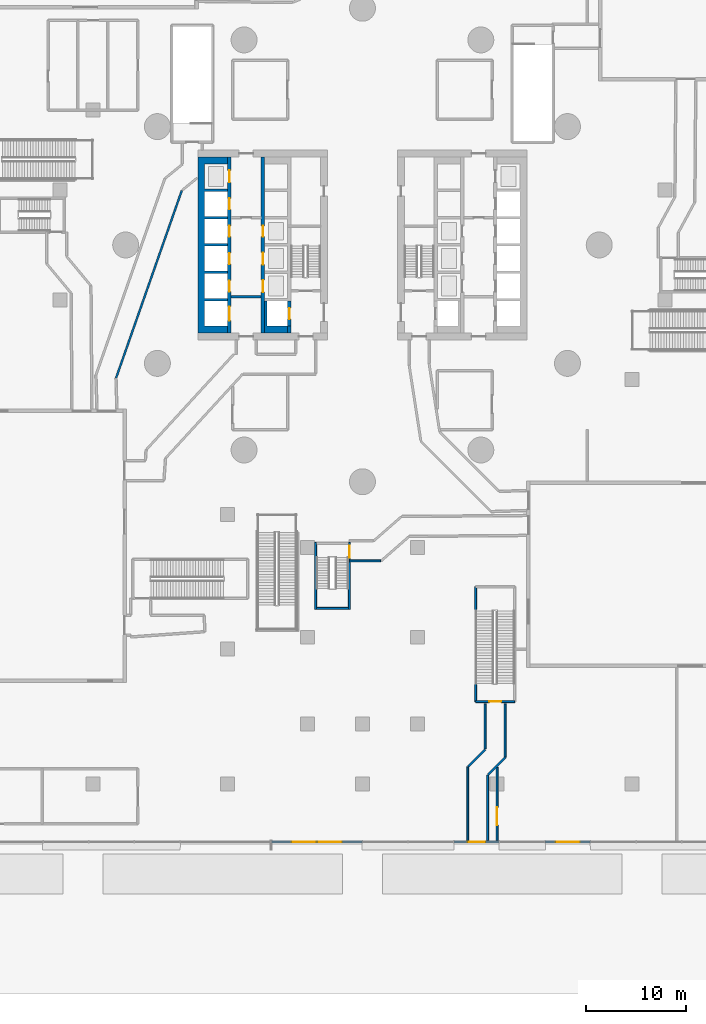
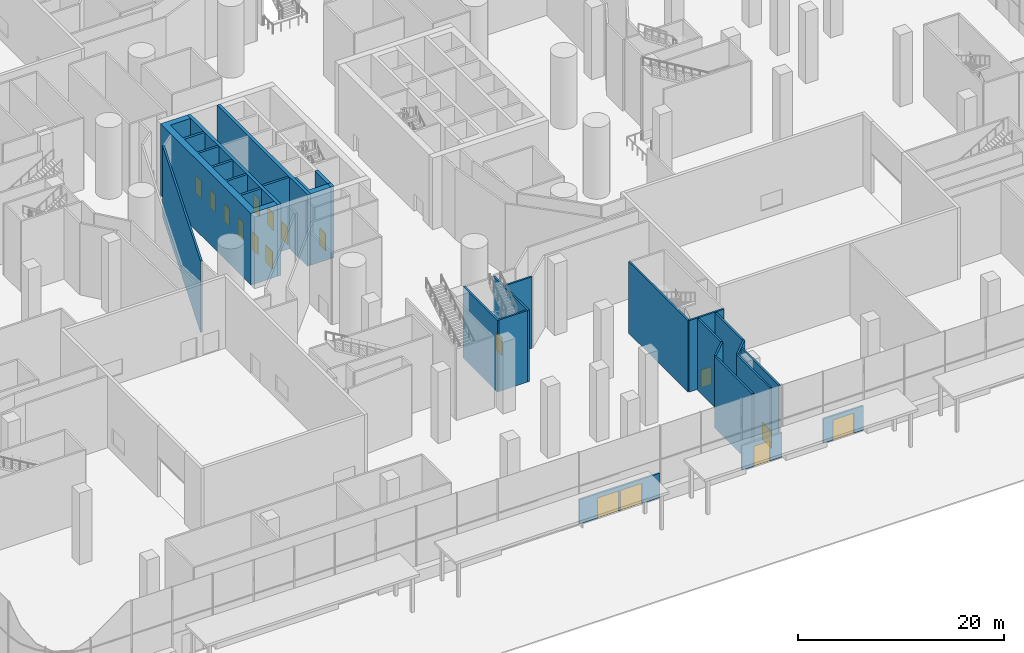
# One storey, part 23 of 54: 24 walls, 17 doors, 17 openings.
"""IFC4 building model written with IfcOpenShell, lengths in metres."""

from ifc_helpers import new_model, si_unit, direction, frame, frame_2d, origin, place, context, subcontext, project, spatial, polyline, rectangle, outline, extrude, material, layer, layer_set, type_object, element, fill, save


model = new_model("IFC4")

# Units and contexts
model_context = context("Model", 3, precision=1e-05, world=origin(), true_north=direction((0.0, 1.0)))
body_context = subcontext(model_context, "Body", "Model", "MODEL_VIEW")
ifc_project = project(units=[si_unit("LENGTHUNIT", "METRE"), si_unit("AREAUNIT", "SQUARE_METRE"), si_unit("VOLUMEUNIT", "CUBIC_METRE"), si_unit("PLANEANGLEUNIT", "RADIAN"), si_unit("MASSUNIT", "GRAM", prefix="KILO")], contexts=[model_context])

# Site, building, storey
site_placement = place(None, origin())
site = spatial("IfcSite", under=ifc_project, at=site_placement, CompositionType="ELEMENT")
building_placement = place(site_placement, origin())
building = spatial("IfcBuilding", under=site, at=building_placement, Name="Tamarind Cross Interchange Tower", CompositionType="ELEMENT")
storey_placement = place(building_placement, origin())
storey = spatial("IfcBuildingStorey", under=building, at=storey_placement, Name="L00", CompositionType="ELEMENT", Elevation=0.0)

# Walls
ifc_material_1 = material(Name="Concrete C80", Category="concrete")
ifc_layer_1 = layer(ifc_material_1, 0.699951171875)
ifc_layer_set_1 = layer_set([ifc_layer_1], Name="Concrete C80")
wall_type_1 = type_object("IfcWallType", Name="Core wall 700 mm Concrete C80", PredefinedType="SHEAR", material=ifc_layer_set_1)
wall_1_placement = place(storey_placement, origin())
element("IfcWall", 1, at=wall_1_placement, inside=storey, type_object=wall_type_1, Name="Core wall CWL-L00-W-A", PredefinedType="SHEAR", context=body_context, shape_type="SweptSolid", body=[
    extrude(outline(polyline([(-13.5, -8.800048828125), (-13.5, -8.125), (-15.800048828125, -8.125), (-15.800048828125, -5.625), (-13.5, -5.625), (-13.5, -5.375), (-15.800048828125, -5.375), (-15.800048828125, -2.875), (-13.5, -2.875), (-13.5, -2.625), (-15.800048828125, -2.625), (-15.800048828125, -0.125), (-13.5, -0.125), (-13.5, 0.125), (-15.800048828125, 0.125), (-15.800048828125, 2.625), (-13.5, 2.625), (-13.5, 2.875), (-15.800048828125, 2.875), (-15.800048828125, 5.375), (-13.5, 5.375), (-13.5, 5.625), (-15.800048828125, 5.625), (-15.800048828125, 8.125), (-13.5, 8.125), (-13.5, 8.800048828125), (-15.800048828125, 8.800048828125), (-16.5, 8.800048828125), (-16.5, -8.800048828125), (-15.800048828125, -8.800048828125), (-13.5, -8.800048828125)])), origin(), (0.0, 0.0, 1.0), 8.5),
])
ifc_layer_2 = layer(ifc_material_1, 0.35009765625)
ifc_layer_set_2 = layer_set([ifc_layer_2], Name="Concrete C80")
wall_type_2 = type_object("IfcWallType", Name="Core web wall 350 mm Concrete C80", PredefinedType="SHEAR", material=ifc_layer_set_2)
wall_2_placement = place(storey_placement, origin())
element("IfcWall", 2, at=wall_2_placement, inside=storey, type_object=wall_type_2, Name="Core wall CWL-L00-W-BS", PredefinedType="SHEAR", context=body_context, shape_type="SweptSolid", body=[
    extrude(outline(polyline([(-7.5, -8.125), (-9.550048828125, -8.125), (-9.550048828125, -5.625), (-9.800048828125, -5.625), (-9.800048828125, -8.125), (-9.800048828125, -8.800048828125), (-7.5, -8.800048828125), (-7.5, -8.125)])), origin(), (0.0, 0.0, 1.0), 8.5),
])
wall_3_placement = place(storey_placement, frame((-7.324951171875, -8.800048828125, 0.0), z_axis=(0.0, 0.0, 1.0), x_axis=(0.0, 1.0, 0.0)))
element("IfcWall", 3, at=wall_3_placement, inside=storey, type_object=wall_type_2, Name="Core wall CWL-L00-W-BW", PredefinedType="SHEAR", context=body_context, shape_type="SweptSolid", body=[
    extrude(rectangle(XDim=0.675048828125, YDim=0.35009765625, at=frame_2d((0.33740234375, 0.0))), origin(), (0.0, 0.0, 1.0), 8.5),
])

# Wall, openings, doors
wall_4_placement = place(storey_placement, frame((-13.324951171875, -8.800048828125, 0.0), z_axis=(0.0, 0.0, 1.0), x_axis=(0.0, 1.0, 0.0)))
wall_4 = element("IfcWall", 4, at=wall_4_placement, inside=storey, type_object=wall_type_2, Name="Core wall CWL-L00-W-LA", PredefinedType="SHEAR", context=body_context, shape_type="SweptSolid", body=[
    extrude(rectangle(XDim=17.60009765625, YDim=0.35009765625, at=frame_2d((8.800048828125, 0.0))), origin(), (0.0, 0.0, 1.0), 8.5),
])
opening_1_placement = place(wall_4_placement, frame((1.22509765625, 0.0, 0.0)))
opening_1 = element("IfcOpeningElement", 5, at=opening_1_placement, cuts=wall_4, Name="Opening LD1L00", PredefinedType="OPENING", context=body_context, shape_type="SweptSolid", body=[
    extrude(rectangle(XDim=1.39990234375, YDim=2.10009765625, at=frame_2d((0.699951171875, 1.050048828125))), frame((0.0, 0.18505859375, 0.0), z_axis=(0.0, -1.0, 0.0), x_axis=(1.0, 0.0, 0.0)), (0.0, 0.0, 1.0), 0.3701171875),
])
opening_2_placement = place(wall_4_placement, frame((4.125, 0.0, 0.0)))
opening_2 = element("IfcOpeningElement", 6, at=opening_2_placement, cuts=wall_4, Name="Opening LD2L00", PredefinedType="OPENING", context=body_context, shape_type="SweptSolid", body=[
    extrude(rectangle(XDim=1.10009765625, YDim=2.10009765625, at=frame_2d((0.550048828125, 1.050048828125))), frame((0.0, 0.18505859375, 0.0), z_axis=(0.0, -1.0, 0.0), x_axis=(1.0, 0.0, 0.0)), (0.0, 0.0, 1.0), 0.3701171875),
])
opening_3_placement = place(wall_4_placement, frame((6.875, 0.0, 0.0)))
opening_3 = element("IfcOpeningElement", 7, at=opening_3_placement, cuts=wall_4, Name="Opening LD3L00", PredefinedType="OPENING", context=body_context, shape_type="SweptSolid", body=[
    extrude(rectangle(XDim=1.10009765625, YDim=2.10009765625, at=frame_2d((0.550048828125, 1.050048828125))), frame((0.0, 0.18505859375, 0.0), z_axis=(0.0, -1.0, 0.0), x_axis=(1.0, 0.0, 0.0)), (0.0, 0.0, 1.0), 0.3701171875),
])
opening_4_placement = place(wall_4_placement, frame((9.625, 0.0, 0.0)))
opening_4 = element("IfcOpeningElement", 8, at=opening_4_placement, cuts=wall_4, Name="Opening LD4L00", PredefinedType="OPENING", context=body_context, shape_type="SweptSolid", body=[
    extrude(rectangle(XDim=1.10009765625, YDim=2.10009765625, at=frame_2d((0.550048828125, 1.050048828125))), frame((0.0, 0.18505859375, 0.0), z_axis=(0.0, -1.0, 0.0), x_axis=(1.0, 0.0, 0.0)), (0.0, 0.0, 1.0), 0.3701171875),
])
opening_5_placement = place(wall_4_placement, frame((12.375, 0.0, 0.0)))
opening_5 = element("IfcOpeningElement", 9, at=opening_5_placement, cuts=wall_4, Name="Opening LD5L00", PredefinedType="OPENING", context=body_context, shape_type="SweptSolid", body=[
    extrude(rectangle(XDim=1.10009765625, YDim=2.10009765625, at=frame_2d((0.550048828125, 1.050048828125))), frame((0.0, 0.18505859375, 0.0), z_axis=(0.0, -1.0, 0.0), x_axis=(1.0, 0.0, 0.0)), (0.0, 0.0, 1.0), 0.3701171875),
])
opening_6_placement = place(wall_4_placement, frame((15.074951171875, 0.0, 0.0)))
opening_6 = element("IfcOpeningElement", 10, at=opening_6_placement, cuts=wall_4, Name="Opening LD6L00", PredefinedType="OPENING", context=body_context, shape_type="SweptSolid", body=[
    extrude(rectangle(XDim=1.199951171875, YDim=2.10009765625, at=frame_2d((0.60009765625, 1.050048828125))), frame((0.0, 0.18505859375, 0.0), z_axis=(0.0, -1.0, 0.0), x_axis=(1.0, 0.0, 0.0)), (0.0, 0.0, 1.0), 0.3701171875),
])
ifc_material_2 = material(Name="Stainless steel panel", Category="steel")
door_type_1 = type_object("IfcDoorType", Name="Lift landing door 1100 x 2100 E 120", OperationType="SLIDING_TO_LEFT", PredefinedType="DOOR", material=ifc_material_2)
door_1_placement = place(opening_2_placement, origin())
door_1 = element("IfcDoor", 11, at=door_1_placement, inside=storey, type_object=door_type_1, Name="L00 landing door LF2", OperationType="SLIDING_TO_LEFT", OverallHeight=2.10009765625, OverallWidth=1.10009765625, PredefinedType="DOOR", context=body_context, shape_type="SweptSolid", body=[
    extrude(rectangle(XDim=1.10009765625, YDim=2.10009765625, at=frame_2d((0.550048828125, 1.050048828125))), frame((0.0, 0.02490234375, 0.0), z_axis=(0.0, -1.0, 0.0), x_axis=(1.0, 0.0, 0.0)), (0.0, 0.0, 1.0), 0.050048828125),
])
fill(opening_2, door_1)
door_2_placement = place(opening_3_placement, origin())
door_2 = element("IfcDoor", 12, at=door_2_placement, inside=storey, type_object=door_type_1, Name="L00 landing door LF3", OperationType="SLIDING_TO_LEFT", OverallHeight=2.10009765625, OverallWidth=1.10009765625, PredefinedType="DOOR", context=body_context, shape_type="SweptSolid", body=[
    extrude(rectangle(XDim=1.10009765625, YDim=2.10009765625, at=frame_2d((0.550048828125, 1.050048828125))), frame((0.0, 0.02490234375, 0.0), z_axis=(0.0, -1.0, 0.0), x_axis=(1.0, 0.0, 0.0)), (0.0, 0.0, 1.0), 0.050048828125),
])
fill(opening_3, door_2)
door_3_placement = place(opening_4_placement, origin())
door_3 = element("IfcDoor", 13, at=door_3_placement, inside=storey, type_object=door_type_1, Name="L00 landing door LF4", OperationType="SLIDING_TO_LEFT", OverallHeight=2.10009765625, OverallWidth=1.10009765625, PredefinedType="DOOR", context=body_context, shape_type="SweptSolid", body=[
    extrude(rectangle(XDim=1.10009765625, YDim=2.10009765625, at=frame_2d((0.550048828125, 1.050048828125))), frame((0.0, 0.02490234375, 0.0), z_axis=(0.0, -1.0, 0.0), x_axis=(1.0, 0.0, 0.0)), (0.0, 0.0, 1.0), 0.050048828125),
])
fill(opening_4, door_3)
door_4_placement = place(opening_5_placement, origin())
door_4 = element("IfcDoor", 14, at=door_4_placement, inside=storey, type_object=door_type_1, Name="L00 landing door LF5", OperationType="SLIDING_TO_LEFT", OverallHeight=2.10009765625, OverallWidth=1.10009765625, PredefinedType="DOOR", context=body_context, shape_type="SweptSolid", body=[
    extrude(rectangle(XDim=1.10009765625, YDim=2.10009765625, at=frame_2d((0.550048828125, 1.050048828125))), frame((0.0, 0.02490234375, 0.0), z_axis=(0.0, -1.0, 0.0), x_axis=(1.0, 0.0, 0.0)), (0.0, 0.0, 1.0), 0.050048828125),
])
fill(opening_5, door_4)
door_type_2 = type_object("IfcDoorType", Name="Lift landing door 1200 x 2100 E 120", OperationType="SLIDING_TO_LEFT", PredefinedType="DOOR", material=ifc_material_2)
door_5_placement = place(opening_6_placement, origin())
door_5 = element("IfcDoor", 15, at=door_5_placement, inside=storey, type_object=door_type_2, Name="L00 landing door LF6", OperationType="SLIDING_TO_LEFT", OverallHeight=2.10009765625, OverallWidth=1.199951171875, PredefinedType="DOOR", context=body_context, shape_type="SweptSolid", body=[
    extrude(rectangle(XDim=1.199951171875, YDim=2.10009765625, at=frame_2d((0.60009765625, 1.050048828125))), frame((0.0, 0.02490234375, 0.0), z_axis=(0.0, -1.0, 0.0), x_axis=(1.0, 0.0, 0.0)), (0.0, 0.0, 1.0), 0.050048828125),
])
fill(opening_6, door_5)
door_type_3 = type_object("IfcDoorType", Name="Lift landing door 1400 x 2100 E 120", OperationType="SLIDING_TO_LEFT", PredefinedType="DOOR", material=ifc_material_2)
door_6_placement = place(opening_1_placement, origin())
door_6 = element("IfcDoor", 16, at=door_6_placement, inside=storey, type_object=door_type_3, Name="L00 landing door LF1", OperationType="SLIDING_TO_LEFT", OverallHeight=2.10009765625, OverallWidth=1.39990234375, PredefinedType="DOOR", context=body_context, shape_type="SweptSolid", body=[
    extrude(rectangle(XDim=1.39990234375, YDim=2.10009765625, at=frame_2d((0.699951171875, 1.050048828125))), frame((0.0, 0.02490234375, 0.0), z_axis=(0.0, -1.0, 0.0), x_axis=(1.0, 0.0, 0.0)), (0.0, 0.0, 1.0), 0.050048828125),
])
fill(opening_1, door_6)

wall_5_placement = place(storey_placement, frame((-9.97509765625, -8.800048828125, 0.0), z_axis=(0.0, 0.0, 1.0), x_axis=(0.0, 1.0, 0.0)))
wall_5 = element("IfcWall", 17, at=wall_5_placement, inside=storey, type_object=wall_type_2, Name="Core wall CWL-L00-W-LB", PredefinedType="SHEAR", context=body_context, shape_type="SweptSolid", body=[
    extrude(rectangle(XDim=17.60009765625, YDim=0.35009765625, at=frame_2d((8.800048828125, 0.0))), origin(), (0.0, 0.0, 1.0), 8.5),
])
opening_7_placement = place(wall_5_placement, frame((4.074951171875, 0.0, 0.0)))
opening_7 = element("IfcOpeningElement", 18, at=opening_7_placement, cuts=wall_5, Name="Opening LD8L00", PredefinedType="OPENING", context=body_context, shape_type="SweptSolid", body=[
    extrude(rectangle(XDim=1.199951171875, YDim=2.10009765625, at=frame_2d((0.60009765625, 1.050048828125))), frame((0.0, 0.18505859375, 0.0), z_axis=(0.0, -1.0, 0.0), x_axis=(1.0, 0.0, 0.0)), (0.0, 0.0, 1.0), 0.3701171875),
])
opening_8_placement = place(wall_5_placement, frame((6.824951171875, 0.0, 0.0)))
opening_8 = element("IfcOpeningElement", 19, at=opening_8_placement, cuts=wall_5, Name="Opening LD9L00", PredefinedType="OPENING", context=body_context, shape_type="SweptSolid", body=[
    extrude(rectangle(XDim=1.199951171875, YDim=2.10009765625, at=frame_2d((0.60009765625, 1.050048828125))), frame((0.0, 0.18505859375, 0.0), z_axis=(0.0, -1.0, 0.0), x_axis=(1.0, 0.0, 0.0)), (0.0, 0.0, 1.0), 0.3701171875),
])
opening_9_placement = place(wall_5_placement, frame((9.625, 0.0, 0.0)))
opening_9 = element("IfcOpeningElement", 20, at=opening_9_placement, cuts=wall_5, Name="Opening LD10L00", PredefinedType="OPENING", context=body_context, shape_type="SweptSolid", body=[
    extrude(rectangle(XDim=1.10009765625, YDim=2.10009765625, at=frame_2d((0.550048828125, 1.050048828125))), frame((0.0, 0.18505859375, 0.0), z_axis=(0.0, -1.0, 0.0), x_axis=(1.0, 0.0, 0.0)), (0.0, 0.0, 1.0), 0.3701171875),
])
door_7_placement = place(opening_9_placement, origin())
door_7 = element("IfcDoor", 21, at=door_7_placement, inside=storey, type_object=door_type_1, Name="L00 landing door LF10", OperationType="SLIDING_TO_LEFT", OverallHeight=2.10009765625, OverallWidth=1.10009765625, PredefinedType="DOOR", context=body_context, shape_type="SweptSolid", body=[
    extrude(rectangle(XDim=1.10009765625, YDim=2.10009765625, at=frame_2d((0.550048828125, 1.050048828125))), frame((0.0, 0.02490234375, 0.0), z_axis=(0.0, -1.0, 0.0), x_axis=(1.0, 0.0, 0.0)), (0.0, 0.0, 1.0), 0.050048828125),
])
fill(opening_9, door_7)
door_8_placement = place(opening_7_placement, origin())
door_8 = element("IfcDoor", 22, at=door_8_placement, inside=storey, type_object=door_type_2, Name="L00 landing door LF8", OperationType="SLIDING_TO_LEFT", OverallHeight=2.10009765625, OverallWidth=1.199951171875, PredefinedType="DOOR", context=body_context, shape_type="SweptSolid", body=[
    extrude(rectangle(XDim=1.199951171875, YDim=2.10009765625, at=frame_2d((0.60009765625, 1.050048828125))), frame((0.0, 0.02490234375, 0.0), z_axis=(0.0, -1.0, 0.0), x_axis=(1.0, 0.0, 0.0)), (0.0, 0.0, 1.0), 0.050048828125),
])
fill(opening_7, door_8)
door_9_placement = place(opening_8_placement, origin())
door_9 = element("IfcDoor", 23, at=door_9_placement, inside=storey, type_object=door_type_2, Name="L00 landing door LF9", OperationType="SLIDING_TO_LEFT", OverallHeight=2.10009765625, OverallWidth=1.199951171875, PredefinedType="DOOR", context=body_context, shape_type="SweptSolid", body=[
    extrude(rectangle(XDim=1.199951171875, YDim=2.10009765625, at=frame_2d((0.60009765625, 1.050048828125))), frame((0.0, 0.02490234375, 0.0), z_axis=(0.0, -1.0, 0.0), x_axis=(1.0, 0.0, 0.0)), (0.0, 0.0, 1.0), 0.050048828125),
])
fill(opening_8, door_9)

# Wall, opening, door
wall_6_placement = place(storey_placement, frame((-7.324951171875, -8.125, 0.0), z_axis=(0.0, 0.0, 1.0), x_axis=(0.0, 1.0, 0.0)))
wall_6 = element("IfcWall", 24, at=wall_6_placement, inside=storey, type_object=wall_type_2, Name="Core wall CWL-L00-W-FF", PredefinedType="SHEAR", context=body_context, shape_type="SweptSolid", body=[
    extrude(rectangle(XDim=2.5, YDim=0.35009765625, at=frame_2d((1.25, 0.0))), origin(), (0.0, 0.0, 1.0), 8.5),
])
opening_10_placement = place(wall_6_placement, frame((0.699951171875, 0.0, 0.0)))
opening_10 = element("IfcOpeningElement", 25, at=opening_10_placement, cuts=wall_6, Name="Opening LD7L00", PredefinedType="OPENING", context=body_context, shape_type="SweptSolid", body=[
    extrude(rectangle(XDim=1.10009765625, YDim=2.10009765625, at=frame_2d((0.550048828125, 1.050048828125))), frame((0.0, 0.18505859375, 0.0), z_axis=(0.0, -1.0, 0.0), x_axis=(1.0, 0.0, 0.0)), (0.0, 0.0, 1.0), 0.3701171875),
])
door_10_placement = place(opening_10_placement, origin())
door_10 = element("IfcDoor", 26, at=door_10_placement, inside=storey, type_object=door_type_1, Name="L00 landing door LF7", OperationType="SLIDING_TO_LEFT", OverallHeight=2.10009765625, OverallWidth=1.10009765625, PredefinedType="DOOR", context=body_context, shape_type="SweptSolid", body=[
    extrude(rectangle(XDim=1.10009765625, YDim=2.10009765625, at=frame_2d((0.550048828125, 1.050048828125))), frame((0.0, 0.02490234375, 0.0), z_axis=(0.0, -1.0, 0.0), x_axis=(1.0, 0.0, 0.0)), (0.0, 0.0, 1.0), 0.050048828125),
])
fill(opening_10, door_10)

ifc_material_3 = material(Name="Masonry partition, fire-rated", Category="masonry")
ifc_layer_3 = layer(ifc_material_3, 0.199951171875)
ifc_layer_set_3 = layer_set([ifc_layer_3], Name="Masonry partition, fire-rated")
wall_type_3 = type_object("IfcWallType", Name="Fire partition 200 EI 180", PredefinedType="PARTITIONING", material=ifc_layer_set_3)
wall_7_placement = place(storey_placement, frame((13.5, -59.698974609375, 0.0), z_axis=(0.0, 0.0, 1.0), x_axis=(0.0, 1.0, 0.0)))
wall_7 = element("IfcWall", 27, at=wall_7_placement, inside=storey, type_object=wall_type_3, Name="L00 partition 93", PredefinedType="PARTITIONING", context=body_context, shape_type="SweptSolid", body=[
    extrude(rectangle(XDim=7.364990234375, YDim=0.199951171875, at=frame_2d((3.6826171875, 0.0))), origin(), (0.0, 0.0, 1.0), 8.5),
])
opening_11_placement = place(wall_7_placement, frame((1.554443359375, 0.0, 0.0)))
opening_11 = element("IfcOpeningElement", 28, at=opening_11_placement, cuts=wall_7, Name="Opening DL00-38", PredefinedType="OPENING", context=body_context, shape_type="SweptSolid", body=[
    extrude(rectangle(XDim=1.800048828125, YDim=2.10009765625, at=frame_2d((0.89990234375, 1.050048828125))), frame((0.0, 0.10986328125, 0.0), z_axis=(0.0, -1.0, 0.0), x_axis=(1.0, 0.0, 0.0)), (0.0, 0.0, 1.0), 0.219970703125),
])
ifc_material_4 = material(Name="Steel, fire-resisting", Category="steel")
door_type_4 = type_object("IfcDoorType", Name="Podium door 1800 x 2100 FD60", OperationType="SINGLE_SWING_LEFT", PredefinedType="DOOR", material=ifc_material_4)
door_11_placement = place(opening_11_placement, origin())
door_11 = element("IfcDoor", 29, at=door_11_placement, inside=storey, type_object=door_type_4, Name="L00 door Customer Service Centre 0023", OperationType="SINGLE_SWING_RIGHT", OverallHeight=2.10009765625, OverallWidth=1.800048828125, PredefinedType="DOOR", context=body_context, shape_type="SweptSolid", body=[
    extrude(rectangle(XDim=1.800048828125, YDim=2.10009765625, at=frame_2d((0.89990234375, 1.050048828125))), frame((0.0, 0.02490234375, 0.0), z_axis=(0.0, -1.0, 0.0), x_axis=(1.0, 0.0, 0.0)), (0.0, 0.0, 1.0), 0.050048828125),
])
fill(opening_11, door_11)

# Wall, openings, doors
ifc_material_5 = material(Name="Precast concrete C40", Category="concrete")
ifc_layer_4 = layer(ifc_material_5, 0.35009765625)
ifc_layer_set_4 = layer_set([ifc_layer_4], Name="Precast concrete C40")
wall_type_4 = type_object("IfcWallType", Name="Podium facade wall", PredefinedType="SOLIDWALL", material=ifc_layer_set_4)
wall_8_placement = place(storey_placement, frame((-9.1005859375, -59.800048828125, 0.0), z_axis=(0.0, 0.0, 1.0), x_axis=(1.0, 0.0, 0.0)))
wall_8 = element("IfcWall", 30, at=wall_8_placement, inside=storey, type_object=wall_type_4, Name="EXW-L00-06-D12", PredefinedType="SOLIDWALL", context=body_context, shape_type="SweptSolid", body=[
    extrude(rectangle(XDim=9.060546875, YDim=0.199951171875, at=frame_2d((4.5302734375, 0.0))), origin(), (0.0, 0.0, 1.0), 2.89990234375),
])
opening_12_placement = place(wall_8_placement, frame((2.0302734375, 0.0, 0.0)))
opening_12 = element("IfcOpeningElement", 31, at=opening_12_placement, cuts=wall_8, Name="Opening D1", PredefinedType="OPENING", context=body_context, shape_type="SweptSolid", body=[
    extrude(rectangle(XDim=2.39990234375, YDim=2.39990234375, at=frame_2d((1.199951171875, 1.199951171875))), frame((0.0, 0.10986328125, 0.0), z_axis=(0.0, -1.0, 0.0), x_axis=(1.0, 0.0, 0.0)), (0.0, 0.0, 1.0), 0.219970703125),
])
opening_13_placement = place(wall_8_placement, frame((4.63037109375, 0.0, 0.0)))
opening_13 = element("IfcOpeningElement", 32, at=opening_13_placement, cuts=wall_8, Name="Opening D1", PredefinedType="OPENING", context=body_context, shape_type="SweptSolid", body=[
    extrude(rectangle(XDim=2.39990234375, YDim=2.39990234375, at=frame_2d((1.199951171875, 1.199951171875))), frame((0.0, 0.10986328125, 0.0), z_axis=(0.0, -1.0, 0.0), x_axis=(1.0, 0.0, 0.0)), (0.0, 0.0, 1.0), 0.219970703125),
])
ifc_material_6 = material(Name="Toughened glass and aluminium", Category="aluminium")
door_type_5 = type_object("IfcDoorType", Name="Station entrance door", OperationType="DOUBLE_DOOR_DOUBLE_SWING", PredefinedType="DOOR", material=ifc_material_6)
door_12_placement = place(opening_12_placement, frame((2.39990234375, 0.0, 0.0), z_axis=(0.0, 0.0, 1.0), x_axis=(-1.0, 0.0, 0.0)))
door_12 = element("IfcDoor", 33, at=door_12_placement, inside=storey, type_object=door_type_5, Name="DOR-L00-06-12A", OperationType="DOUBLE_DOOR_DOUBLE_SWING", OverallHeight=2.39990234375, OverallWidth=2.39990234375, PredefinedType="DOOR", context=body_context, shape_type="SweptSolid", body=[
    extrude(rectangle(XDim=2.39990234375, YDim=2.39990234375, at=frame_2d((1.199951171875, 1.199951171875))), frame((0.0, 0.02490234375, 0.0), z_axis=(0.0, -1.0, 0.0), x_axis=(1.0, 0.0, 0.0)), (0.0, 0.0, 1.0), 0.050048828125),
])
fill(opening_12, door_12)
door_13_placement = place(opening_13_placement, frame((2.39990234375, 0.0, 0.0), z_axis=(0.0, 0.0, 1.0), x_axis=(-1.0, 0.0, 0.0)))
door_13 = element("IfcDoor", 34, at=door_13_placement, inside=storey, type_object=door_type_5, Name="DOR-L00-06-12B", OperationType="DOUBLE_DOOR_DOUBLE_SWING", OverallHeight=2.39990234375, OverallWidth=2.39990234375, PredefinedType="DOOR", context=body_context, shape_type="SweptSolid", body=[
    extrude(rectangle(XDim=2.39990234375, YDim=2.39990234375, at=frame_2d((1.199951171875, 1.199951171875))), frame((0.0, 0.02490234375, 0.0), z_axis=(0.0, -1.0, 0.0), x_axis=(1.0, 0.0, 0.0)), (0.0, 0.0, 1.0), 0.050048828125),
])
fill(opening_13, door_13)

# Wall, opening, door
wall_9_placement = place(storey_placement, frame((9.1806640625, -59.800048828125, 0.0), z_axis=(0.0, 0.0, 1.0), x_axis=(1.0, 0.0, 0.0)))
wall_9 = element("IfcWall", 35, at=wall_9_placement, inside=storey, type_object=wall_type_4, Name="EXW-L00-06-D16", PredefinedType="SOLIDWALL", context=body_context, shape_type="SweptSolid", body=[
    extrude(rectangle(XDim=4.490234375, YDim=0.199951171875, at=frame_2d((2.2451171875, 0.0))), origin(), (0.0, 0.0, 1.0), 2.89990234375),
])
opening_14_placement = place(wall_9_placement, frame((1.34521484375, 0.0, 0.0)))
opening_14 = element("IfcOpeningElement", 36, at=opening_14_placement, cuts=wall_9, Name="Opening D7", PredefinedType="OPENING", context=body_context, shape_type="SweptSolid", body=[
    extrude(rectangle(XDim=1.800048828125, YDim=2.39990234375, at=frame_2d((0.89990234375, 1.199951171875))), frame((0.0, 0.10986328125, 0.0), z_axis=(0.0, -1.0, 0.0), x_axis=(1.0, 0.0, 0.0)), (0.0, 0.0, 1.0), 0.219970703125),
])
ifc_material_7 = material(Name="Steel FD90", Category="steel")
door_type_6 = type_object("IfcDoorType", Name="Exit passage door", OperationType="DOUBLE_DOOR_SINGLE_SWING", PredefinedType="DOOR", material=ifc_material_7)
door_14_placement = place(opening_14_placement, frame((1.800048828125, 0.0, 0.0), z_axis=(0.0, 0.0, 1.0), x_axis=(-1.0, 0.0, 0.0)))
door_14 = element("IfcDoor", 37, at=door_14_placement, inside=storey, type_object=door_type_6, Name="DOR-L00-06-16", OperationType="SINGLE_SWING_LEFT", OverallHeight=2.39990234375, OverallWidth=1.800048828125, PredefinedType="DOOR", context=body_context, shape_type="SweptSolid", body=[
    extrude(rectangle(XDim=1.800048828125, YDim=2.39990234375, at=frame_2d((0.89990234375, 1.199951171875))), frame((0.0, 0.02490234375, 0.0), z_axis=(0.0, -1.0, 0.0), x_axis=(1.0, 0.0, 0.0)), (0.0, 0.0, 1.0), 0.050048828125),
])
fill(opening_14, door_14)

wall_10_placement = place(storey_placement, frame((18.3212890625, -59.800048828125, 0.0), z_axis=(0.0, 0.0, 1.0), x_axis=(1.0, 0.0, 0.0)))
wall_10 = element("IfcWall", 38, at=wall_10_placement, inside=storey, type_object=wall_type_4, Name="EXW-L00-06-D18", PredefinedType="SOLIDWALL", context=body_context, shape_type="SweptSolid", body=[
    extrude(rectangle(XDim=4.490234375, YDim=0.199951171875, at=frame_2d((2.2451171875, 0.0))), origin(), (0.0, 0.0, 1.0), 2.89990234375),
])
opening_15_placement = place(wall_10_placement, frame((1.045166015625, 0.0, 0.0)))
opening_15 = element("IfcOpeningElement", 39, at=opening_15_placement, cuts=wall_10, Name="Opening D1", PredefinedType="OPENING", context=body_context, shape_type="SweptSolid", body=[
    extrude(rectangle(XDim=2.39990234375, YDim=2.39990234375, at=frame_2d((1.199951171875, 1.199951171875))), frame((0.0, 0.10986328125, 0.0), z_axis=(0.0, -1.0, 0.0), x_axis=(1.0, 0.0, 0.0)), (0.0, 0.0, 1.0), 0.219970703125),
])
door_15_placement = place(opening_15_placement, frame((2.39990234375, 0.0, 0.0), z_axis=(0.0, 0.0, 1.0), x_axis=(-1.0, 0.0, 0.0)))
door_15 = element("IfcDoor", 40, at=door_15_placement, inside=storey, type_object=door_type_5, Name="DOR-L00-06-18", OperationType="DOUBLE_DOOR_DOUBLE_SWING", OverallHeight=2.39990234375, OverallWidth=2.39990234375, PredefinedType="DOOR", context=body_context, shape_type="SweptSolid", body=[
    extrude(rectangle(XDim=2.39990234375, YDim=2.39990234375, at=frame_2d((1.199951171875, 1.199951171875))), frame((0.0, 0.02490234375, 0.0), z_axis=(0.0, -1.0, 0.0), x_axis=(1.0, 0.0, 0.0)), (0.0, 0.0, 1.0), 0.050048828125),
])
fill(opening_15, door_15)

# Walls
ifc_material_8 = material(Name="Concrete C40", Category="concrete")
ifc_layer_5 = layer(ifc_material_8, 0.199951171875)
ifc_layer_set_5 = layer_set([ifc_layer_5], Name="Concrete C40")
wall_type_5 = type_object("IfcWallType", Name="Protected passage wall 200 EI 180", PredefinedType="PARTITIONING", material=ifc_layer_set_5)
wall_11_placement = place(storey_placement, frame((-1.300048828125, -31.64990234375, 0.0), z_axis=(0.0, 0.0, 1.0), x_axis=(1.0, 0.0, 0.0)))
element("IfcWall", 41, at=wall_11_placement, inside=storey, type_object=wall_type_5, Name="L00 passage wall 141", PredefinedType="PARTITIONING", context=body_context, shape_type="SweptSolid", body=[
    extrude(rectangle(XDim=3.125732421875, YDim=0.199951171875, at=frame_2d((1.56298828125, 0.0))), origin(), (0.0, 0.0, 1.0), 8.5),
])
wall_12_placement = place(storey_placement, frame((14.300048828125, -45.969970703125, 0.0), z_axis=(0.0, 0.0, 1.0), x_axis=(0.0, -1.0, 0.0)))
element("IfcWall", 42, at=wall_12_placement, inside=storey, type_object=wall_type_5, Name="L00 passage wall 212", PredefinedType="PARTITIONING", context=body_context, shape_type="SweptSolid", body=[
    extrude(rectangle(XDim=5.34423828125, YDim=0.199951171875, at=frame_2d((2.672119140625, 0.0))), origin(), (0.0, 0.0, 1.0), 8.5),
])
wall_13_placement = place(storey_placement, frame((14.300048828125, -51.3642578125, 0.0), z_axis=(0.0, 0.0, 1.0), x_axis=(-0.707106781187, -0.707106781187, 0.0)))
element("IfcWall", 43, at=wall_13_placement, inside=storey, type_object=wall_type_5, Name="L00 passage wall 213", PredefinedType="PARTITIONING", context=body_context, shape_type="SweptSolid", body=[
    extrude(rectangle(XDim=2.4248046875, YDim=0.199951171875, at=frame_2d((1.21240234375, 0.0))), origin(), (0.0, 0.0, 1.0), 8.5),
])
wall_14_placement = place(storey_placement, frame((12.550048828125, -53.1142578125, 0.0), z_axis=(0.0, 0.0, 1.0), x_axis=(0.0, -1.0, 0.0)))
element("IfcWall", 44, at=wall_14_placement, inside=storey, type_object=wall_type_5, Name="L00 passage wall 214", PredefinedType="PARTITIONING", context=body_context, shape_type="SweptSolid", body=[
    extrude(rectangle(XDim=6.53564453125, YDim=0.199951171875, at=frame_2d((3.267822265625, 0.0))), origin(), (0.0, 0.0, 1.0), 8.5),
])
wall_15_placement = place(storey_placement, frame((12.300048828125, -45.969970703125, 0.0), z_axis=(0.0, 0.0, 1.0), x_axis=(0.0, -1.0, 0.0)))
element("IfcWall", 45, at=wall_15_placement, inside=storey, type_object=wall_type_5, Name="L00 passage wall 215", PredefinedType="PARTITIONING", context=body_context, shape_type="SweptSolid", body=[
    extrude(rectangle(XDim=4.515869140625, YDim=0.199951171875, at=frame_2d((2.2578125, 0.0))), origin(), (0.0, 0.0, 1.0), 8.5),
])
wall_16_placement = place(storey_placement, frame((12.300048828125, -50.535888671875, 0.0), z_axis=(0.0, 0.0, 1.0), x_axis=(-0.707106781187, -0.707106781187, 0.0)))
element("IfcWall", 46, at=wall_16_placement, inside=storey, type_object=wall_type_5, Name="L00 passage wall 216", PredefinedType="PARTITIONING", context=body_context, shape_type="SweptSolid", body=[
    extrude(rectangle(XDim=2.4248046875, YDim=0.199951171875, at=frame_2d((1.21240234375, 0.0))), origin(), (0.0, 0.0, 1.0), 8.5),
])
wall_17_placement = place(storey_placement, frame((10.550048828125, -52.285888671875, 0.0), z_axis=(0.0, 0.0, 1.0), x_axis=(0.0, -1.0, 0.0)))
element("IfcWall", 47, at=wall_17_placement, inside=storey, type_object=wall_type_5, Name="L00 passage wall 217", PredefinedType="PARTITIONING", context=body_context, shape_type="SweptSolid", body=[
    extrude(rectangle(XDim=7.364013671875, YDim=0.199951171875, at=frame_2d((3.68212890625, 0.0))), origin(), (0.0, 0.0, 1.0), 8.5),
])
wall_18_placement = place(storey_placement, frame((-18.099609375, 5.453125, 0.0), z_axis=(0.0, 0.0, 1.0), x_axis=(-0.33089272618, -0.943668375946, 0.0)))
element("IfcWall", 48, at=wall_18_placement, inside=storey, type_object=wall_type_5, Name="L00 passage wall 235", PredefinedType="PARTITIONING", context=body_context, shape_type="SweptSolid", body=[
    extrude(rectangle(XDim=19.930908203125, YDim=0.199951171875, at=frame_2d((9.96533203125, 0.0))), origin(), (0.0, 0.0, 1.0), 8.5),
])
ifc_layer_6 = layer(ifc_material_8, 0.25)
ifc_layer_set_6 = layer_set([ifc_layer_6], Name="Concrete C40")
wall_type_6 = type_object("IfcWallType", Name="Shaft and lobby wall 250 mm Concrete C40", PredefinedType="PARTITIONING", material=ifc_layer_set_6)
wall_19_placement = place(storey_placement, frame((-13.14990234375, -5.199951171875, 0.0), z_axis=(0.0, 0.0, 1.0), x_axis=(1.0, 0.0, 0.0)))
element("IfcWall", 49, at=wall_19_placement, inside=storey, type_object=wall_type_6, Name="Shaft wall CWL-L00-W-EVP", PredefinedType="PARTITIONING", context=body_context, shape_type="SweptSolid", body=[
    extrude(rectangle(XDim=3.0, YDim=0.25, at=frame_2d((1.5, 0.0))), origin(), (0.0, 0.0, 1.0), 8.5),
])
ifc_layer_7 = layer(ifc_material_8, 0.199951171875)
ifc_layer_set_7 = layer_set([ifc_layer_7], Name="Concrete C40")
wall_type_7 = type_object("IfcWallType", Name="Stair shaft wall 200 EI 180", PredefinedType="PARTITIONING", material=ifc_layer_set_7)
wall_20_placement = place(storey_placement, frame((11.35009765625, -45.75, 0.0), z_axis=(0.0, 0.0, 1.0), x_axis=(0.0, 1.0, 0.0)))
element("IfcWall", 50, at=wall_20_placement, inside=storey, type_object=wall_type_7, Name="L00 stair shaft wall 33", PredefinedType="PARTITIONING", context=body_context, shape_type="SweptSolid", body=[
    extrude(rectangle(XDim=11.5, YDim=0.199951171875, at=frame_2d((5.75, 0.0))), origin(), (0.0, 0.0, 1.0), 8.5),
])

# Wall, opening, door
wall_21_placement = place(storey_placement, frame((11.35009765625, -45.75, 0.0), z_axis=(0.0, 0.0, 1.0), x_axis=(1.0, 0.0, 0.0)))
wall_21 = element("IfcWall", 51, at=wall_21_placement, inside=storey, type_object=wall_type_7, Name="L00 stair shaft wall 36", PredefinedType="PARTITIONING", context=body_context, shape_type="SweptSolid", body=[
    extrude(rectangle(XDim=3.89990234375, YDim=0.199951171875, at=frame_2d((1.949951171875, 0.0))), origin(), (0.0, 0.0, 1.0), 8.5),
])
opening_16_placement = place(wall_21_placement, frame((1.35009765625, 0.0, 0.0)))
opening_16 = element("IfcOpeningElement", 52, at=opening_16_placement, cuts=wall_21, Name="Opening DL00-14", PredefinedType="OPENING", context=body_context, shape_type="SweptSolid", body=[
    extrude(rectangle(XDim=1.199951171875, YDim=2.10009765625, at=frame_2d((0.60009765625, 1.050048828125))), frame((0.0, 0.10986328125, 0.0), z_axis=(0.0, -1.0, 0.0), x_axis=(1.0, 0.0, 0.0)), (0.0, 0.0, 1.0), 0.219970703125),
])
door_type_7 = type_object("IfcDoorType", Name="Podium door 1200 x 2100 FD90", OperationType="SINGLE_SWING_LEFT", PredefinedType="DOOR", material=ifc_material_4)
door_16_placement = place(opening_16_placement, origin())
door_16 = element("IfcDoor", 53, at=door_16_placement, inside=storey, type_object=door_type_7, Name="L00 door Exit Stair PX12", OperationType="SINGLE_SWING_RIGHT", OverallHeight=2.10009765625, OverallWidth=1.199951171875, PredefinedType="DOOR", context=body_context, shape_type="SweptSolid", body=[
    extrude(rectangle(XDim=1.199951171875, YDim=2.10009765625, at=frame_2d((0.60009765625, 1.050048828125))), frame((0.0, 0.02490234375, 0.0), z_axis=(0.0, -1.0, 0.0), x_axis=(1.0, 0.0, 0.0)), (0.0, 0.0, 1.0), 0.050048828125),
])
fill(opening_16, door_16)

ifc_layer_8 = layer(ifc_material_8, 0.199951171875)
ifc_layer_set_8 = layer_set([ifc_layer_8], Name="Concrete C40")
wall_type_8 = type_object("IfcWallType", Name="Stair shaft wall 200 mm Concrete C40", PredefinedType="SHEAR", material=ifc_layer_set_8)
wall_22_placement = place(storey_placement, frame((-1.300048828125, -29.800048828125, 0.0), z_axis=(0.0, 0.0, 1.0), x_axis=(0.0, -1.0, 0.0)))
wall_22 = element("IfcWall", 54, at=wall_22_placement, inside=storey, type_object=wall_type_8, Name="Core wall CWL-L00-ST6-H", PredefinedType="SHEAR", context=body_context, shape_type="SweptSolid", body=[
    extrude(rectangle(XDim=6.699951171875, YDim=0.199951171875, at=frame_2d((3.35009765625, 0.0))), origin(), (0.0, 0.0, 1.0), 8.5),
])
opening_17_placement = place(wall_22_placement, frame((0.35009765625, 0.0, 0.0)))
opening_17 = element("IfcOpeningElement", 55, at=opening_17_placement, cuts=wall_22, Name="Opening ST6L00", PredefinedType="OPENING", context=body_context, shape_type="SweptSolid", body=[
    extrude(rectangle(XDim=1.199951171875, YDim=2.10009765625, at=frame_2d((0.60009765625, 1.050048828125))), frame((0.0, 0.10986328125, 0.0), z_axis=(0.0, -1.0, 0.0), x_axis=(1.0, 0.0, 0.0)), (0.0, 0.0, 1.0), 0.219970703125),
])
door_type_8 = type_object("IfcDoorType", Name="Core fire door 1200 x 2100 FD90", OperationType="SINGLE_SWING_LEFT", PredefinedType="DOOR", material=ifc_material_4)
door_17_placement = place(opening_17_placement, origin())
door_17 = element("IfcDoor", 56, at=door_17_placement, inside=storey, type_object=door_type_8, Name="L00 stair door ST6", OperationType="SINGLE_SWING_LEFT", OverallHeight=2.10009765625, OverallWidth=1.199951171875, PredefinedType="DOOR", context=body_context, shape_type="SweptSolid", body=[
    extrude(rectangle(XDim=1.199951171875, YDim=2.10009765625, at=frame_2d((0.60009765625, 1.050048828125))), frame((0.0, 0.02490234375, 0.0), z_axis=(0.0, -1.0, 0.0), x_axis=(1.0, 0.0, 0.0)), (0.0, 0.0, 1.0), 0.050048828125),
])
fill(opening_17, door_17)

# Walls
wall_23_placement = place(storey_placement, frame((-4.699951171875, -29.800048828125, 0.0), z_axis=(0.0, 0.0, 1.0), x_axis=(0.0, -1.0, 0.0)))
element("IfcWall", 57, at=wall_23_placement, inside=storey, type_object=wall_type_8, Name="Core wall CWL-L00-ST6-C", PredefinedType="SHEAR", context=body_context, shape_type="SweptSolid", body=[
    extrude(rectangle(XDim=6.699951171875, YDim=0.199951171875, at=frame_2d((3.35009765625, 0.0))), origin(), (0.0, 0.0, 1.0), 8.5),
])
wall_24_placement = place(storey_placement, origin())
element("IfcWall", 58, at=wall_24_placement, inside=storey, type_object=wall_type_8, Name="Core wall CWL-L00-ST6-CF", PredefinedType="SHEAR", context=body_context, shape_type="SweptSolid", body=[
    extrude(outline(polyline([(-4.60009765625, -36.300048828125), (-4.60009765625, -36.5), (-1.39990234375, -36.5), (-1.39990234375, -36.300048828125), (-4.60009765625, -36.300048828125)])), origin(), (0.0, 0.0, 1.0), 8.5),
])

save(model, "model.ifc")
